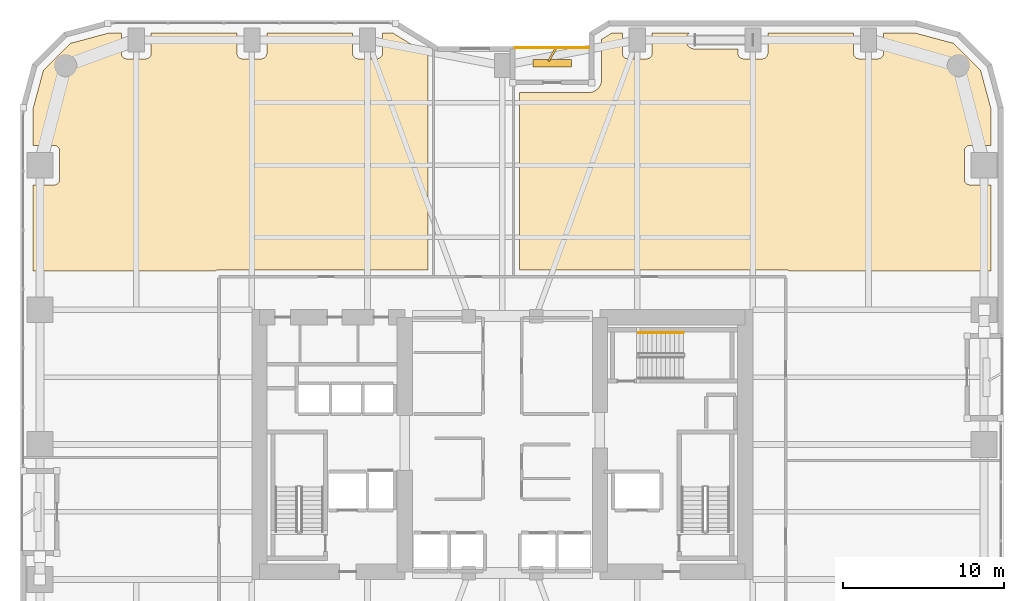
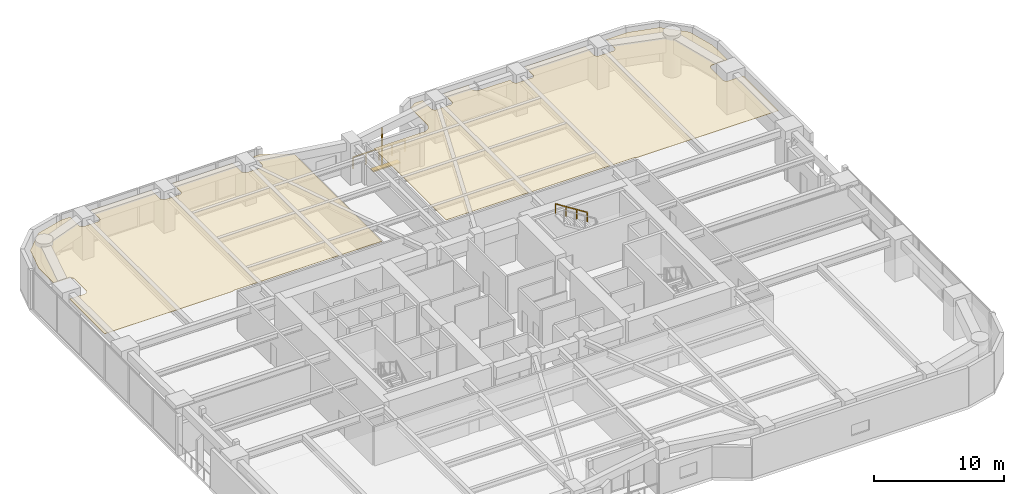
# One storey, part 29 of 29: 2 coverings, 2 railings, 2 shading devices.
"""IFC4 building model written with IfcOpenShell, lengths in metres."""

from ifc_helpers import new_model, si_unit, direction, frame, origin, origin_2d, place, context, subcontext, project, spatial, polyline, rectangle, outline, extrude, material, layer, layer_set, type_object, element, save


model = new_model("IFC4")

# Units and contexts
model_context = context("Model", 3, precision=1e-05, world=origin(), true_north=direction((0.0, 1.0)))
body_context = subcontext(model_context, "Body", "Model", "MODEL_VIEW")
ifc_project = project(units=[si_unit("LENGTHUNIT", "METRE"), si_unit("AREAUNIT", "SQUARE_METRE"), si_unit("VOLUMEUNIT", "CUBIC_METRE"), si_unit("PLANEANGLEUNIT", "RADIAN"), si_unit("MASSUNIT", "GRAM", prefix="KILO")], contexts=[model_context])

# Site, building, storey
site_placement = place(None, origin())
site = spatial("IfcSite", under=ifc_project, at=site_placement, CompositionType="ELEMENT")
building_placement = place(site_placement, origin())
building = spatial("IfcBuilding", under=site, at=building_placement, Name="Kiyonajd Concourse Tower", CompositionType="ELEMENT")
storey_placement = place(building_placement, frame((0.0, 0.0, 29.39990234375)))
storey = spatial("IfcBuildingStorey", under=building, at=storey_placement, Name="L08", CompositionType="ELEMENT", Elevation=29.39990234375)

# Coverings
ifc_material_1 = material(Name="Natural Oak Acoustic Timber Veneer", Category="wood")
ifc_layer = layer(ifc_material_1, 0.0400390625)
ifc_layer_set = layer_set([ifc_layer], Name="Natural Oak Acoustic Timber Veneer")
covering_type = type_object("IfcCoveringType", Name="CV-CLG-ACST", PredefinedType="CEILING", material=ifc_layer_set)
covering_1_placement = place(storey_placement, frame((0.0, 0.0, 3.460205078125)))
element("IfcCovering", 1, at=covering_1_placement, inside=storey, type_object=covering_type, Name="L08-40 Room Acoustic Ceiling", PredefinedType="CEILING", context=body_context, shape_type="SweptSolid", body=[
    extrude(outline(polyline([(21.097900390625, 60.986083984375), (23.5009765625, 61.6298828125), (24.27001953125, 61.6298828125), (24.27197265625, 60.3359375), (24.297119140625, 60.236083984375), (24.3291015625, 60.176025390625), (24.373046875, 60.123046875), (24.426025390625, 60.0791015625), (24.486083984375, 60.047119140625), (24.5859375, 60.02197265625), (25.81396484375, 60.02197265625), (25.9140625, 60.047119140625), (26.001953125, 60.09912109375), (26.051025390625, 60.14794921875), (26.089111328125, 60.205078125), (26.123046875, 60.302001953125), (26.1298828125, 60.3701171875), (26.1298828125, 61.6298828125), (31.469970703125, 61.6298828125), (31.471923828125, 60.3359375), (31.4970703125, 60.236083984375), (31.529052734375, 60.176025390625), (31.572998046875, 60.123046875), (31.6259765625, 60.0791015625), (31.68603515625, 60.047119140625), (31.785888671875, 60.02197265625), (32.97998046875, 60.02001953125), (33.048095703125, 60.027099609375), (33.114013671875, 60.047119140625), (33.201904296875, 60.09912109375), (33.2509765625, 60.14794921875), (33.2890625, 60.205078125), (33.322998046875, 60.302001953125), (33.330078125, 60.3701171875), (33.330078125, 61.6298828125), (38.669921875, 61.6298828125), (38.672119140625, 60.3359375), (38.697021484375, 60.236083984375), (38.72900390625, 60.176025390625), (38.77294921875, 60.123046875), (38.825927734375, 60.0791015625), (38.885986328125, 60.047119140625), (38.986083984375, 60.02197265625), (40.179931640625, 60.02001953125), (40.248046875, 60.027099609375), (40.31396484375, 60.047119140625), (40.402099609375, 60.09912109375), (40.450927734375, 60.14794921875), (40.489013671875, 60.205078125), (40.52294921875, 60.302001953125), (40.530029296875, 60.3701171875), (40.530029296875, 61.6298828125), (41.181884765625, 61.6298828125), (43.3701171875, 60.282958984375), (43.3701171875, 46.8798828125), (30.35009765625, 46.8798828125), (30.219970703125, 46.860107421875), (30.156982421875, 46.833984375), (30.10205078125, 46.800048828125), (18.77001953125, 46.800048828125), (18.77001953125, 52.169921875), (20.080078125, 52.169921875), (20.14794921875, 52.177001953125), (20.2451171875, 52.2109375), (20.302001953125, 52.2490234375), (20.35107421875, 52.298095703125), (20.388916015625, 52.35498046875), (20.4150390625, 52.41796875), (20.429931640625, 52.52001953125), (20.429931640625, 54.280029296875), (20.4150390625, 54.382080078125), (20.388916015625, 54.445068359375), (20.35107421875, 54.501953125), (20.302001953125, 54.551025390625), (20.2451171875, 54.589111328125), (20.181884765625, 54.614990234375), (20.114013671875, 54.6279296875), (18.77001953125, 54.6298828125), (18.77001953125, 56.89892578125), (19.4140625, 59.302001953125), (21.097900390625, 60.986083984375)])), origin(), (0.0, 0.0, 1.0), 0.039794921875),
])
covering_2_placement = place(storey_placement, frame((0.0, 0.0, 3.460205078125)))
element("IfcCovering", 2, at=covering_2_placement, inside=storey, type_object=covering_type, Name="L08-42 Room Acoustic Ceiling", PredefinedType="CEILING", context=body_context, shape_type="SweptSolid", body=[
    extrude(outline(polyline([(49.06005859375, 57.931884765625), (53.39990234375, 57.929931640625), (53.5419921875, 57.943115234375), (53.639892578125, 57.968994140625), (53.72802734375, 58.00390625), (53.839111328125, 58.068115234375), (53.95703125, 58.16796875), (54.056884765625, 58.300048828125), (54.10791015625, 58.39599609375), (54.131103515625, 58.4599609375), (54.1640625, 58.60791015625), (54.169921875, 61.23095703125), (54.818115234375, 61.6298828125), (55.469970703125, 61.6298828125), (55.469970703125, 60.3701171875), (55.47705078125, 60.302001953125), (55.510986328125, 60.205078125), (55.549072265625, 60.14794921875), (55.597900390625, 60.09912109375), (55.68603515625, 60.047119140625), (55.751953125, 60.027099609375), (55.820068359375, 60.02001953125), (57.013916015625, 60.02197265625), (57.114013671875, 60.047119140625), (57.174072265625, 60.0791015625), (57.22705078125, 60.123046875), (57.27099609375, 60.176025390625), (57.302978515625, 60.236083984375), (57.327880859375, 60.3359375), (57.330078125, 61.6298828125), (59.6259765625, 61.6298828125), (59.5390625, 61.533935546875), (59.498046875, 61.469970703125), (59.467041015625, 61.40087890625), (59.43603515625, 61.27490234375), (59.429931640625, 61.199951171875), (59.43603515625, 61.125), (59.467041015625, 60.9990234375), (59.498046875, 60.929931640625), (59.5390625, 60.865966796875), (59.637939453125, 60.759033203125), (59.759033203125, 60.68408203125), (59.87109375, 60.64501953125), (59.97802734375, 60.631103515625), (62.669921875, 60.6298828125), (62.672119140625, 60.3359375), (62.68505859375, 60.26806640625), (62.7109375, 60.205078125), (62.77294921875, 60.123046875), (62.85498046875, 60.06103515625), (62.91796875, 60.034912109375), (63.02001953125, 60.02001953125), (64.214111328125, 60.02197265625), (64.31396484375, 60.047119140625), (64.3740234375, 60.0791015625), (64.427001953125, 60.123046875), (64.489013671875, 60.205078125), (64.514892578125, 60.26806640625), (64.528076171875, 60.3359375), (64.530029296875, 61.6298828125), (69.8701171875, 61.6298828125), (69.8701171875, 60.3701171875), (69.876953125, 60.302001953125), (69.89697265625, 60.236083984375), (69.928955078125, 60.176025390625), (69.998046875, 60.09912109375), (70.0859375, 60.047119140625), (70.18603515625, 60.02197265625), (71.4140625, 60.02197265625), (71.513916015625, 60.047119140625), (71.573974609375, 60.0791015625), (71.626953125, 60.123046875), (71.68896484375, 60.205078125), (71.715087890625, 60.26806640625), (71.72802734375, 60.3359375), (71.72998046875, 61.6298828125), (73.698974609375, 61.6298828125), (76.10205078125, 60.986083984375), (77.785888671875, 59.302001953125), (78.429931640625, 56.89892578125), (78.429931640625, 54.6298828125), (77.1201171875, 54.6298828125), (77.052001953125, 54.623046875), (76.986083984375, 54.60302734375), (76.926025390625, 54.571044921875), (76.84912109375, 54.501953125), (76.81103515625, 54.445068359375), (76.784912109375, 54.382080078125), (76.77001953125, 54.280029296875), (76.77001953125, 52.52001953125), (76.784912109375, 52.41796875), (76.81103515625, 52.35498046875), (76.84912109375, 52.298095703125), (76.89794921875, 52.2490234375), (76.955078125, 52.2109375), (77.01806640625, 52.18505859375), (77.0859375, 52.172119140625), (78.429931640625, 52.169921875), (78.429931640625, 46.800048828125), (65.89794921875, 46.800048828125), (65.843017578125, 46.833984375), (65.780029296875, 46.860107421875), (65.64990234375, 46.8798828125), (49.06005859375, 46.8798828125), (49.06005859375, 57.931884765625)])), origin(), (0.0, 0.0, 1.0), 0.039794921875),
])

# Railings
ifc_material_2 = material(Name="Thermally Broken Anodised Aluminium", Category="aluminium")
railing_type_1 = type_object("IfcRailingType", Name="RL-GRD-LOG", PredefinedType="GUARDRAIL", material=ifc_material_2)
railing_1_placement = place(storey_placement, frame((53.39990234375, 60.719970703125, 0.0)))
element("IfcRailing", 3, at=railing_1_placement, inside=storey, type_object=railing_type_1, Name="L08 Engawa Loggia Perimeter Guard LOG-N", PredefinedType="GUARDRAIL", context=body_context, shape_type="SweptSolid", body=[
    extrude(rectangle(XDim=0.048095703125, YDim=0.048095703125, at=origin_2d()), frame((0.0, 0.0, 1.076171875), z_axis=(-1.0, 0.0, 0.0), x_axis=(0.0, -1.0, 0.0)), (0.0, 0.0, 1.0), 4.599853515625),
    extrude(rectangle(XDim=0.0419921875, YDim=0.0419921875, at=origin_2d()), origin(), (0.0, 0.0, 1.0), 1.052001953125),
    extrude(rectangle(XDim=0.0419921875, YDim=0.0419921875, at=origin_2d()), frame((-1.14990234375, 0.0, 0.0)), (0.0, 0.0, 1.0), 1.052001953125),
    extrude(rectangle(XDim=0.0419921875, YDim=0.0419921875, at=origin_2d()), frame((-2.2998046875, 0.0, 0.0)), (0.0, 0.0, 1.0), 1.052001953125),
    extrude(rectangle(XDim=0.0419921875, YDim=0.0419921875, at=origin_2d()), frame((-3.449951171875, 0.0, 0.0)), (0.0, 0.0, 1.0), 1.052001953125),
    extrude(rectangle(XDim=0.0419921875, YDim=0.0419921875, at=origin_2d()), frame((-4.599853515625, 0.0, 0.0)), (0.0, 0.0, 1.0), 1.052001953125),
])
ifc_material_3 = material(Name="Brushed Stainless Steel Cab Assembly", Category="steel")
railing_type_2 = type_object("IfcRailingType", Name="RL-HND-900", PredefinedType="HANDRAIL", material=ifc_material_3)
railing_2_placement = place(storey_placement, frame((59.280029296875, 42.969970703125, 2.12744140625)))
element("IfcRailing", 4, at=railing_2_placement, inside=storey, type_object=railing_type_2, Name="L08 ST3 stair handrail 2", PredefinedType="HANDRAIL", context=body_context, shape_type="SweptSolid", body=[
    extrude(rectangle(XDim=0.048095703125, YDim=0.048095703125, at=origin_2d()), frame((0.0, 0.0, 0.8759765625), z_axis=(-0.844908973607, 0.0, 0.534910110503), x_axis=(0.0, -1.0, 0.0)), (0.0, 0.0, 1.0), 3.31396484375),
    extrude(rectangle(XDim=0.0419921875, YDim=0.0419921875, at=origin_2d()), origin(), (0.0, 0.0, 1.0), 0.851806640625),
    extrude(rectangle(XDim=0.0419921875, YDim=0.0419921875, at=origin_2d()), frame((-0.933349609375, 0.0, 0.5908203125)), (0.0, 0.0, 1.0), 0.851806640625),
    extrude(rectangle(XDim=0.0419921875, YDim=0.0419921875, at=origin_2d()), frame((-1.86669921875, 0.0, 1.181884765625)), (0.0, 0.0, 1.0), 0.851806640625),
    extrude(rectangle(XDim=0.0419921875, YDim=0.0419921875, at=origin_2d()), frame((-2.800048828125, 0.0, 1.772705078125)), (0.0, 0.0, 1.0), 0.851806640625),
])

# Shading devices
ifc_material_4 = material(Name="Precast concrete C50/60", Category="concrete")
shading_device_type_1 = type_object("IfcShadingDeviceType", Name="SH-FIN-900", PredefinedType="USERDEFINED", material=ifc_material_4)
shading_device_1_placement = place(storey_placement, frame((51.10009765625, 60.27001953125, 0.0), z_axis=(0.0, 0.0, 1.0), x_axis=(0.5, 0.866025403784, 0.0)))
element("IfcShadingDevice", 5, at=shading_device_1_placement, inside=storey, type_object=shading_device_type_1, Name="L08 Angled Koshi Solar Fin LOG-N", ObjectType="FIN", PredefinedType="USERDEFINED", context=body_context, shape_type="SweptSolid", body=[
    extrude(rectangle(XDim=0.89990234375, YDim=0.1201171875, at=origin_2d()), origin(), (0.0, 0.0, 1.0), 3.0),
])
shading_device_type_2 = type_object("IfcShadingDeviceType", Name="SH-LVR-600", PredefinedType="JALOUSIE", material=ifc_material_2)
shading_device_2_placement = place(storey_placement, frame((51.10009765625, 59.75, 0.0), z_axis=(0.0, 0.0, 1.0), x_axis=(1.0, 0.0, 0.0)))
element("IfcShadingDevice", 6, at=shading_device_2_placement, inside=storey, type_object=shading_device_type_2, Name="L08 Loggia Threshold Louver LOG-N", PredefinedType="JALOUSIE", context=body_context, shape_type="SweptSolid", body=[
    extrude(rectangle(XDim=2.39990234375, YDim=0.449951171875, at=origin_2d()), origin(), (0.0, 0.0, 1.0), 0.10009765625),
])

save(model, "model.ifc")
